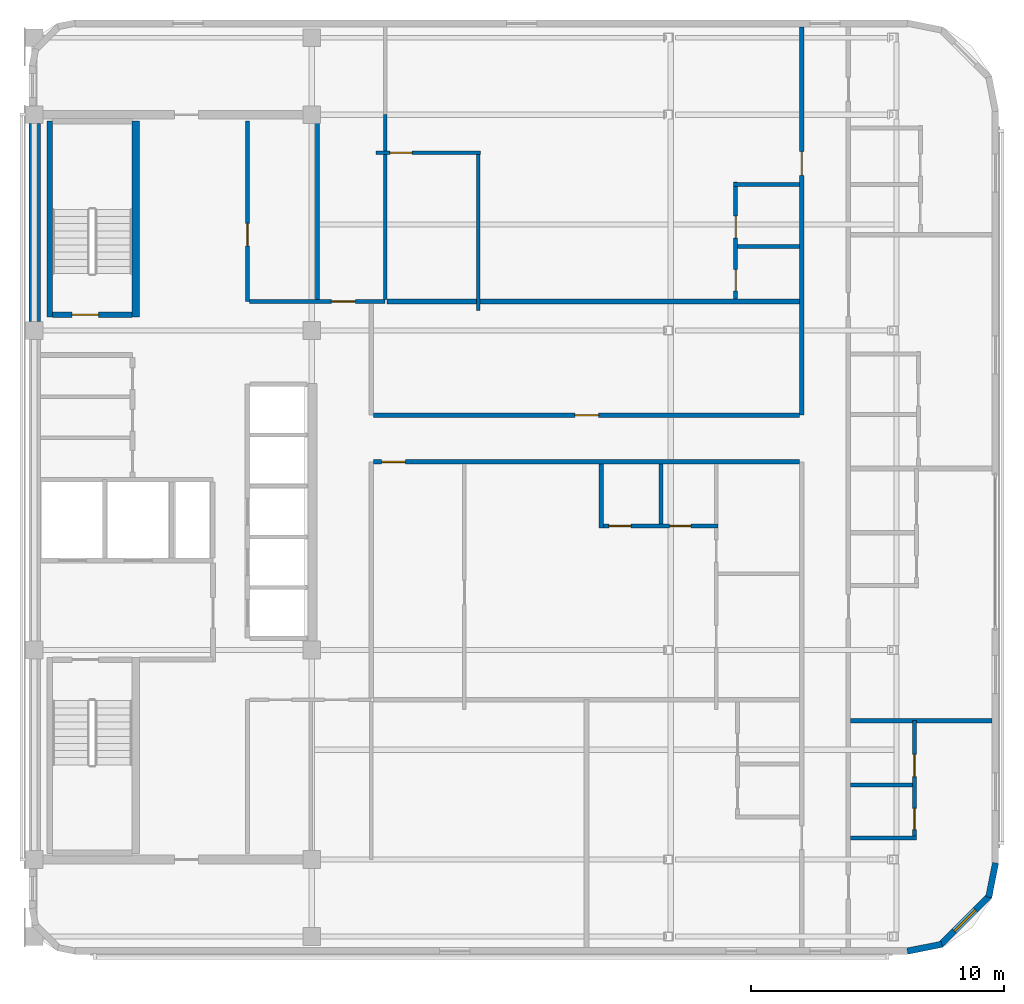
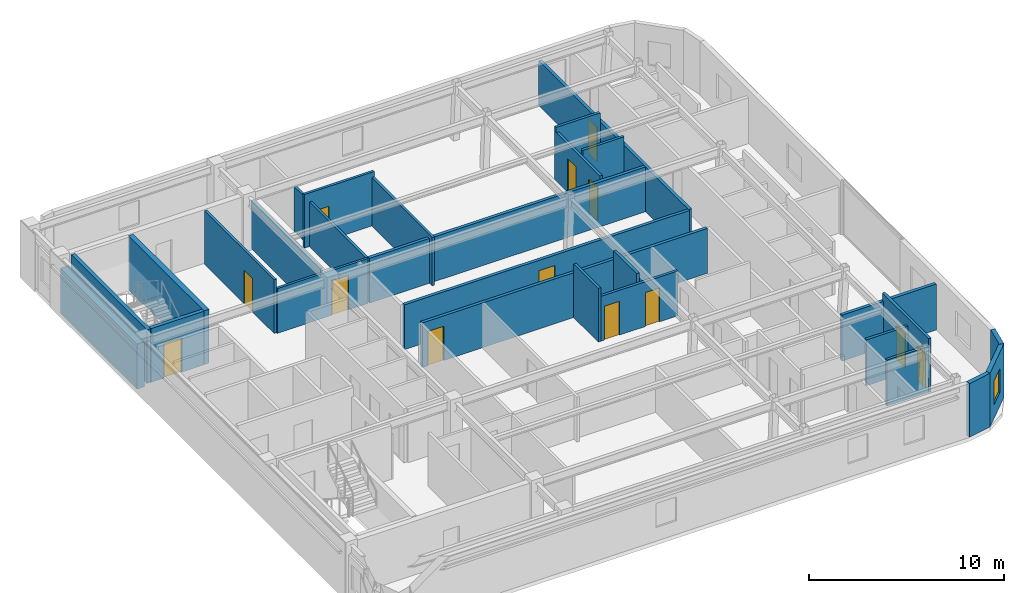
# One storey, part 5 of 10: 27 walls, 13 doors, 1 window, 14 openings.
"""IFC4 building model written with IfcOpenShell, lengths in metres."""

import ifcopenshell
import ifcopenshell.guid

model = None  # the IFC model being written
_history = None  # IfcOwnerHistory: only IFC2X3 demands one
_inside = {}  # id of a spatial element -> (the spatial element, [elements in it])
_under = {}  # id of a project, library or spatial element -> (it, [spatial elements below it])
_declared = {}  # id of a project -> (the project, [libraries it declares])
_typed = {}  # id of a type object -> (the type object, [elements of that type])
_made_of = {}  # id of a material, layer set ... -> (it, [elements and type objects made of it])


def new_model(schema):
    """Start an empty IFC model of exactly this schema.

    Asked for "IFC4X3", IfcOpenShell would pick the latest addendum, in which some entities
    have other attributes; the version numbers below select the first issue.
    IFC2X3 requires an IfcOwnerHistory on every rooted entity: one is made here for all.
    """
    global model, _history
    if schema == "IFC4X3":
        model = ifcopenshell.file(schema_version=(4, 3, 0, 0))
    else:
        model = ifcopenshell.file(schema=schema)
    _inside.clear()
    _under.clear()
    _declared.clear()
    _typed.clear()
    _made_of.clear()
    _history = None
    if model.schema == "IFC2X3":
        org = make("IfcOrganization", Name="unknown")
        user = make(
            "IfcPersonAndOrganization",
            ThePerson=make("IfcPerson", FamilyName="unknown"),
            TheOrganization=org,
        )
        app = make(
            "IfcApplication",
            ApplicationDeveloper=org,
            Version="unknown",
            ApplicationFullName="unknown",
            ApplicationIdentifier="unknown",
        )
        _history = make(
            "IfcOwnerHistory",
            OwningUser=user,
            OwningApplication=app,
            ChangeAction="ADDED",
            CreationDate=0,
        )
    return model


def make(cls, **values):
    """One entity of the class cls with the attributes given. An attribute that is None is left unset."""
    return model.create_entity(
        cls, **{name: value for name, value in values.items() if value is not None}
    )


def rooted(cls, **values):
    """An entity with a GlobalId (a new one), such as an element, a storey or a relation."""
    return make(cls, GlobalId=ifcopenshell.guid.new(), OwnerHistory=_history, **values)


def si_unit(unit_type, name, prefix=None):
    """IfcSIUnit, for example si_unit("LENGTHUNIT", "METRE", prefix="MILLI")."""
    return make("IfcSIUnit", UnitType=unit_type, Prefix=prefix, Name=name)


def assignment(units):
    """IfcUnitAssignment: the units of a project."""
    return None if units is None else make("IfcUnitAssignment", Units=units)


def point(xyz):
    """IfcCartesianPoint."""
    return None if xyz is None else make("IfcCartesianPoint", Coordinates=xyz)


def direction(xyz):
    """IfcDirection."""
    return None if xyz is None else make("IfcDirection", DirectionRatios=xyz)


def frame(location, z_axis=None, x_axis=None):
    """IfcAxis2Placement3D, a coordinate frame: its origin and axes. An axis left out is left unset."""
    return make(
        "IfcAxis2Placement3D",
        Location=point(location),
        Axis=direction(z_axis),
        RefDirection=direction(x_axis),
    )


def frame_2d(location, x_axis=None):
    """IfcAxis2Placement2D, a coordinate frame in the plane: its origin and x axis."""
    return make(
        "IfcAxis2Placement2D", Location=point(location), RefDirection=direction(x_axis)
    )


def origin():
    """The frame at (0, 0, 0) with its axes left unset."""
    return frame((0.0, 0.0, 0.0))


def place(relative_to, where):
    """IfcLocalPlacement: puts the frame where relative to a parent placement (None: the world)."""
    return make(
        "IfcLocalPlacement", PlacementRelTo=relative_to, RelativePlacement=where
    )


def context(
    kind, dimensions, precision=None, world=None, true_north=None, identifier=None
):
    """IfcGeometricRepresentationContext, for example the 3D "Model" context."""
    return make(
        "IfcGeometricRepresentationContext",
        ContextIdentifier=identifier,
        ContextType=kind,
        CoordinateSpaceDimension=dimensions,
        Precision=precision,
        WorldCoordinateSystem=world,
        TrueNorth=true_north,
    )


def subcontext(parent, identifier, kind, view, scale=None):
    """IfcGeometricRepresentationSubContext, for example "Body" below "Model"."""
    return make(
        "IfcGeometricRepresentationSubContext",
        ContextIdentifier=identifier,
        ContextType=kind,
        ParentContext=parent,
        TargetScale=scale,
        TargetView=view,
    )


def project(units=None, contexts=None):
    """IfcProject with its units and contexts."""
    return rooted(
        "IfcProject",
        Name="project",
        RepresentationContexts=contexts,
        UnitsInContext=assignment(units),
    )


def spatial(cls, under=None, at=None, **own):
    """A site, building, storey or space (cls), placed at a placement, below another one or the project."""
    s = rooted(cls, ObjectPlacement=at, **own)
    if under is not None:
        _under.setdefault(under.id(), (under, []))[1].append(s)
    return s


def profile(cls, at=None, kind="AREA", **sizes):
    """A parametric profile (cls). Its sizes go by their IFC names, for example OverallWidth=200.0."""
    return make(cls, ProfileType=kind, Position=at, **sizes)


def rectangle(**sizes):
    """IfcRectangleProfileDef."""
    return profile("IfcRectangleProfileDef", **sizes)


def extrude(swept, where, along, depth):
    """IfcExtrudedAreaSolid: the profile swept, set in the frame where, extruded along a direction by depth."""
    return make(
        "IfcExtrudedAreaSolid",
        SweptArea=swept,
        Position=where,
        ExtrudedDirection=direction(along),
        Depth=depth,
    )


def shape(context_of_items, identifier, shape_type, items):
    """IfcShapeRepresentation: the items that make up one representation, for example the "Body"."""
    return make(
        "IfcShapeRepresentation",
        ContextOfItems=context_of_items,
        RepresentationIdentifier=identifier,
        RepresentationType=shape_type,
        Items=items,
    )


def material(Name=None, Category=None):
    """IfcMaterial."""
    return make("IfcMaterial", Name=Name, Category=Category)


def layer(
    of_material, thickness, ventilated=None, Name=None, Category=None, Priority=None
):
    """IfcMaterialLayer: one layer of a wall or slab, of a material (None: an air gap)."""
    return make(
        "IfcMaterialLayer",
        Material=of_material,
        LayerThickness=thickness,
        IsVentilated=ventilated,
        Name=Name,
        Category=Category,
        Priority=Priority,
    )


def layer_set(layers, Name=None):
    """IfcMaterialLayerSet."""
    return make("IfcMaterialLayerSet", MaterialLayers=layers, LayerSetName=Name)


def made_of(thing, what):
    """Note that an element or type object is made of a material, layer set ...; save() writes the relation."""
    if what is not None:
        _made_of.setdefault(what.id(), (what, []))[1].append(thing)
    return thing


def type_object(cls, material=None, **own):
    """A type object (cls), such as IfcWallType, which elements share."""
    return made_of(rooted(cls, **own), material)


def element(
    cls,
    number,
    at=None,
    inside=None,
    cuts=None,
    type_object=None,
    material=None,
    context=None,
    identifier="Body",
    shape_type=None,
    held_by="IfcProductDefinitionShape",
    body=None,
    shapes=None,
    **own,
):
    """One element of the class cls, such as IfcWall. Its Tag is "e" and its number.

    at: its placement. inside: the storey or other place that contains it. cuts: it is an
    opening in that element (IfcRelVoidsElement). A single representation is given by context,
    identifier, shape_type and body (its items); several are given by shapes. held_by: the class
    of the entity that holds the representations. save() writes the other relations.
    """
    e = rooted(cls, Tag="e%d" % number, ObjectPlacement=at, **own)
    if body is not None:
        shapes = [shape(context, identifier, shape_type, body)]
    if shapes is not None:
        e.Representation = make(held_by, Representations=shapes)
    if inside is not None:
        _inside.setdefault(inside.id(), (inside, []))[1].append(e)
    if cuts is not None:
        rooted(
            "IfcRelVoidsElement", RelatingBuildingElement=cuts, RelatedOpeningElement=e
        )
    if type_object is not None:
        _typed.setdefault(type_object.id(), (type_object, []))[1].append(e)
    return made_of(e, material)


def fill(opening, filler):
    """IfcRelFillsElement: the door or window that sits in an opening."""
    return rooted(
        "IfcRelFillsElement",
        RelatingOpeningElement=opening,
        RelatedBuildingElement=filler,
    )


def aggregate(whole, parts):
    """IfcRelAggregates: a whole, such as a stair, and the parts it consists of."""
    return rooted("IfcRelAggregates", RelatingObject=whole, RelatedObjects=parts)


def save(model, path):
    """Write the relations noted so far, then the file.

    IfcRelAggregates (storeys below a building ...), IfcRelContainedInSpatialStructure (elements
    in a storey), IfcRelDefinesByType, IfcRelAssociatesMaterial and IfcRelDeclares: one each for
    every whole, place, type object, material and project.
    """
    for whole, parts in _under.values():
        aggregate(whole, parts)
    for where, things in _inside.values():
        rooted(
            "IfcRelContainedInSpatialStructure",
            RelatedElements=things,
            RelatingStructure=where,
        )
    for kind, things in _typed.values():
        rooted("IfcRelDefinesByType", RelatedObjects=things, RelatingType=kind)
    for what, things in _made_of.values():
        rooted("IfcRelAssociatesMaterial", RelatedObjects=things, RelatingMaterial=what)
    for by, libraries in _declared.values():
        rooted("IfcRelDeclares", RelatingContext=by, RelatedDefinitions=libraries)
    model.write(path)


model = new_model("IFC4")

# Units and contexts
model_context = context("Model", 3, precision=1e-05, world=origin(), true_north=direction((0.0, 1.0)))
body_context = subcontext(model_context, "Body", "Model", "MODEL_VIEW")
ifc_project = project(units=[si_unit("LENGTHUNIT", "METRE"), si_unit("AREAUNIT", "SQUARE_METRE"), si_unit("VOLUMEUNIT", "CUBIC_METRE"), si_unit("PLANEANGLEUNIT", "RADIAN"), si_unit("MASSUNIT", "GRAM", prefix="KILO")], contexts=[model_context])

# Site, building, storey
site_placement = place(None, origin())
site = spatial("IfcSite", under=ifc_project, at=site_placement, CompositionType="ELEMENT")
building_placement = place(site_placement, origin())
building = spatial("IfcBuilding", under=site, at=building_placement, Name="Ochreholt Gables", CompositionType="ELEMENT")
storey_placement = place(building_placement, frame((0.0, 0.0, 267.60009765625)))
storey = spatial("IfcBuildingStorey", under=building, at=storey_placement, Name="L70", CompositionType="ELEMENT", Elevation=267.60009765625)

# Walls
ifc_material_1 = material(Name="Concrete 50 MPa", Category="concrete")
ifc_layer_1 = layer(ifc_material_1, 0.449951171875, Name="Concrete 50 MPa")
ifc_layer_set_1 = layer_set([ifc_layer_1], Name="Concrete 50 MPa")
wall_type_1 = type_object("IfcWallType", Name="WALL-CSW-EXT", PredefinedType="SHEAR", material=ifc_layer_set_1)
wall_1_placement = place(storey_placement, frame((24.22509765625, 30.550048828125, 0.0), z_axis=(0.0, 0.0, 1.0), x_axis=(0.0, 1.0, 0.0)))
element("IfcWall", 1, at=wall_1_placement, inside=storey, type_object=wall_type_1, Name="L70 Core West Shear Wall WN", PredefinedType="SHEAR", context=body_context, shape_type="SweptSolid", body=[
    extrude(rectangle(XDim=7.849853515625, YDim=0.449951171875, at=frame_2d((3.9248046875, 0.0))), origin(), (0.0, 0.0, 1.0), 2.82080078125),
])
ifc_material_2 = material(Name="Precast concrete 40 MPa", Category="concrete")
ifc_layer_2 = layer(ifc_material_2, 0.25, Name="Precast concrete 40 MPa")
ifc_layer_set_2 = layer_set([ifc_layer_2], Name="Precast concrete 40 MPa")
wall_type_2 = type_object("IfcWallType", Name="WALL-EXT-CNR", PredefinedType="SOLIDWALL", material=ifc_layer_set_2)
wall_2_placement = place(storey_placement, frame((58.783447265625, 5.624267578125, 0.0), z_axis=(0.0, 0.0, 1.0), x_axis=(0.980809899341, 0.19496651342, 0.0)))
element("IfcWall", 2, at=wall_2_placement, inside=storey, type_object=wall_type_2, Name="L70 Rounded Corner Wall SE-1", PredefinedType="SOLIDWALL", context=body_context, shape_type="SweptSolid", body=[
    extrude(rectangle(XDim=1.388671875, YDim=0.25, at=frame_2d((0.6943359375, 0.0))), origin(), (0.0, 0.0, 1.0), 3.35986328125),
])

# Wall, opening, window
wall_3_placement = place(storey_placement, frame((60.094970703125, 5.867919921875, 0.0), z_axis=(0.0, 0.0, 1.0), x_axis=(0.707106781187, 0.707106781187, 0.0)))
wall_3 = element("IfcWall", 3, at=wall_3_placement, inside=storey, type_object=wall_type_2, Name="L70 Rounded Corner Wall SE-2", PredefinedType="SOLIDWALL", context=body_context, shape_type="SweptSolid", body=[
    extrude(rectangle(XDim=2.7392578125, YDim=0.25, at=frame_2d((1.36962890625, 0.0))), origin(), (0.0, 0.0, 1.0), 3.35986328125),
])
opening_1_placement = place(wall_3_placement, frame((0.769775390625, 0.0, 0.85009765625)))
opening_1 = element("IfcOpeningElement", 4, at=opening_1_placement, cuts=wall_3, Name="Opening WN-3", PredefinedType="OPENING", context=body_context, shape_type="SweptSolid", body=[
    extrude(rectangle(XDim=1.199951171875, YDim=1.5, at=frame_2d((0.60009765625, 0.75))), frame((0.0, 0.135009765625, 0.0), z_axis=(0.0, -1.0, 0.0), x_axis=(1.0, 0.0, 0.0)), (0.0, 0.0, 1.0), 0.27001953125),
])
ifc_material_3 = material(Name="Triple-Glazed Thermally Broken Aluminium Window", Category="aluminium")
window_type = type_object("IfcWindowType", Name="WIN-RES-1200", PartitioningType="SINGLE_PANEL", PredefinedType="WINDOW", material=ifc_material_3)
window_placement = place(opening_1_placement, origin())
window = element("IfcWindow", 5, at=window_placement, inside=storey, type_object=window_type, Name="L70 Corner Bedroom Window SE", OverallHeight=1.5, OverallWidth=1.199951171875, PartitioningType="SINGLE_PANEL", PredefinedType="WINDOW", context=body_context, shape_type="SweptSolid", body=[
    extrude(rectangle(XDim=1.199951171875, YDim=1.5, at=frame_2d((0.60009765625, 0.75))), frame((0.0, 0.030029296875, 0.0), z_axis=(0.0, -1.0, 0.0), x_axis=(1.0, 0.0, 0.0)), (0.0, 0.0, 1.0), 0.06005859375),
])
fill(opening_1, window)

# Wall
wall_4_placement = place(storey_placement, frame((62.0048828125, 7.75439453125, 0.0), z_axis=(0.0, 0.0, 1.0), x_axis=(0.195135625965, 0.9807762678, 0.0)))
element("IfcWall", 6, at=wall_4_placement, inside=storey, type_object=wall_type_2, Name="L70 Rounded Corner Wall SE-3", PredefinedType="SOLIDWALL", context=body_context, shape_type="SweptSolid", body=[
    extrude(rectangle(XDim=1.388671875, YDim=0.25, at=frame_2d((0.6943359375, 0.0))), origin(), (0.0, 0.0, 1.0), 3.35986328125),
])

# Wall, opening, door
ifc_material_4 = material(Name="Fire-Rated Gypsum Acoustic Partition", Category="gypsum")
ifc_layer_3 = layer(ifc_material_4, 0.179931640625, Name="Fire-Rated Gypsum Acoustic Partition")
ifc_layer_set_3 = layer_set([ifc_layer_3], Name="Fire-Rated Gypsum Acoustic Partition")
wall_type_3 = type_object("IfcWallType", Name="WALL-INT-CR180", PredefinedType="STANDARD", material=ifc_layer_set_3)
wall_5_placement = place(storey_placement, frame((54.60009765625, 26.85009765625, 0.0), z_axis=(0.0, 0.0, 1.0), x_axis=(0.0, 1.0, 0.0)))
wall_5 = element("IfcWall", 7, at=wall_5_placement, inside=storey, type_object=wall_type_3, Name="L70 Interior Wall WI-C3GW2-L70", PredefinedType="STANDARD", context=body_context, shape_type="SweptSolid", body=[
    extrude(rectangle(XDim=15.3798828125, YDim=0.179931640625, at=frame_2d((7.68994140625, 0.0))), origin(), (0.0, 0.0, 1.0), 2.802978515625),
])
opening_2_placement = place(wall_5_placement, frame((9.5, 0.0, 0.0)))
opening_2 = element("IfcOpeningElement", 8, at=opening_2_placement, cuts=wall_5, Name="Opening D-UN2", PredefinedType="OPENING", context=body_context, shape_type="SweptSolid", body=[
    extrude(rectangle(XDim=0.93994140625, YDim=2.14990234375, at=frame_2d((0.469970703125, 1.074951171875))), frame((0.0, 0.099853515625, 0.0), z_axis=(0.0, -1.0, 0.0), x_axis=(1.0, 0.0, 0.0)), (0.0, 0.0, 1.0), 0.199951171875),
])
ifc_material_5 = material(Name="Engineered Oak Timber", Category="wood")
door_type_1 = type_object("IfcDoorType", Name="DR-INT-UNT940", OperationType="NOTDEFINED", PredefinedType="DOOR", material=ifc_material_5)
door_1_placement = place(opening_2_placement, origin())
door_1 = element("IfcDoor", 9, at=door_1_placement, inside=storey, type_object=door_type_1, Name="L70 Door D-U-L70NM2-ENT", OperationType="SINGLE_SWING_LEFT", OverallHeight=2.14990234375, OverallWidth=0.93994140625, PredefinedType="DOOR", context=body_context, shape_type="SweptSolid", body=[
    extrude(rectangle(XDim=0.93994140625, YDim=2.14990234375, at=frame_2d((0.469970703125, 1.074951171875))), frame((0.0, 0.02490234375, 0.0), z_axis=(0.0, -1.0, 0.0), x_axis=(1.0, 0.0, 0.0)), (0.0, 0.0, 1.0), 0.050048828125),
])
fill(opening_2, door_1)

wall_6_placement = place(storey_placement, frame((37.639892578125, 25.0, 0.0), z_axis=(0.0, 0.0, 1.0), x_axis=(1.0, 0.0, 0.0)))
wall_6 = element("IfcWall", 10, at=wall_6_placement, inside=storey, type_object=wall_type_3, Name="L70 Interior Wall WI-C3BRS1-L70", PredefinedType="STANDARD", context=body_context, shape_type="SweptSolid", body=[
    extrude(rectangle(XDim=16.8701171875, YDim=0.179931640625, at=frame_2d((8.43505859375, 0.0))), origin(), (0.0, 0.0, 1.0), 2.802978515625),
])
opening_3_placement = place(wall_6_placement, frame((0.320068359375, 0.0, 0.0)))
opening_3 = element("IfcOpeningElement", 11, at=opening_3_placement, cuts=wall_6, Name="Opening D-UN2", PredefinedType="OPENING", context=body_context, shape_type="SweptSolid", body=[
    extrude(rectangle(XDim=0.93994140625, YDim=2.14990234375, at=frame_2d((0.469970703125, 1.074951171875))), frame((0.0, 0.099853515625, 0.0), z_axis=(0.0, -1.0, 0.0), x_axis=(1.0, 0.0, 0.0)), (0.0, 0.0, 1.0), 0.199951171875),
])
door_2_placement = place(opening_3_placement, origin())
door_2 = element("IfcDoor", 12, at=door_2_placement, inside=storey, type_object=door_type_1, Name="L70 Door D-U-L70SM2-ENT", OperationType="SINGLE_SWING_RIGHT", OverallHeight=2.14990234375, OverallWidth=0.93994140625, PredefinedType="DOOR", context=body_context, shape_type="SweptSolid", body=[
    extrude(rectangle(XDim=0.93994140625, YDim=2.14990234375, at=frame_2d((0.469970703125, 1.074951171875))), frame((0.0, 0.02490234375, 0.0), z_axis=(0.0, -1.0, 0.0), x_axis=(1.0, 0.0, 0.0)), (0.0, 0.0, 1.0), 0.050048828125),
])
fill(opening_3, door_2)

wall_7_placement = place(storey_placement, frame((37.639892578125, 26.85009765625, 0.0), z_axis=(0.0, 0.0, 1.0), x_axis=(1.0, 0.0, 0.0)))
wall_7 = element("IfcWall", 13, at=wall_7_placement, inside=storey, type_object=wall_type_3, Name="L70 Interior Wall WI-C3BRN1-L70", PredefinedType="STANDARD", context=body_context, shape_type="SweptSolid", body=[
    extrude(rectangle(XDim=16.8701171875, YDim=0.179931640625, at=frame_2d((8.43505859375, 0.0))), origin(), (0.0, 0.0, 1.0), 2.802978515625),
])
opening_4_placement = place(wall_7_placement, frame((7.97509765625, 0.0, 0.0)))
opening_4 = element("IfcOpeningElement", 14, at=opening_4_placement, cuts=wall_7, Name="Opening D-UN2", PredefinedType="OPENING", context=body_context, shape_type="SweptSolid", body=[
    extrude(rectangle(XDim=0.93994140625, YDim=2.14990234375, at=frame_2d((0.469970703125, 1.074951171875))), frame((0.0, 0.099853515625, 0.0), z_axis=(0.0, -1.0, 0.0), x_axis=(1.0, 0.0, 0.0)), (0.0, 0.0, 1.0), 0.199951171875),
])
door_3_placement = place(opening_4_placement, origin())
door_3 = element("IfcDoor", 15, at=door_3_placement, inside=storey, type_object=door_type_1, Name="L70 Door D-U-L70NM1-ENT", OperationType="SINGLE_SWING_RIGHT", OverallHeight=2.14990234375, OverallWidth=0.93994140625, PredefinedType="DOOR", context=body_context, shape_type="SweptSolid", body=[
    extrude(rectangle(XDim=0.93994140625, YDim=2.14990234375, at=frame_2d((0.469970703125, 1.074951171875))), frame((0.0, 0.02490234375, 0.0), z_axis=(0.0, -1.0, 0.0), x_axis=(1.0, 0.0, 0.0)), (0.0, 0.0, 1.0), 0.050048828125),
])
fill(opening_4, door_3)

# Walls
ifc_material_6 = material(Name="Double-Stud Acoustic Demising Wall", Category="gypsum")
ifc_layer_4 = layer(ifc_material_6, 0.18505859375, Name="Double-Stud Acoustic Demising Wall")
ifc_layer_set_4 = layer_set([ifc_layer_4], Name="Double-Stud Acoustic Demising Wall")
wall_type_4 = type_object("IfcWallType", Name="WALL-INT-DM185", PredefinedType="PARTITIONING", material=ifc_layer_set_4)
wall_8_placement = place(storey_placement, frame((56.5400390625, 14.75, 0.0), z_axis=(0.0, 0.0, 1.0), x_axis=(1.0, 0.0, 0.0)))
element("IfcWall", 16, at=wall_8_placement, inside=storey, type_object=wall_type_4, Name="L70 Interior Wall WI-C3UDE2-L70", PredefinedType="PARTITIONING", context=body_context, shape_type="SweptSolid", body=[
    extrude(rectangle(XDim=5.58984375, YDim=0.18505859375, at=frame_2d((2.794921875, 0.0))), origin(), (0.0, 0.0, 1.0), 2.87890625),
])
wall_9_placement = place(storey_placement, frame((38.172607421875, 31.35009765625, 0.0), z_axis=(0.0, 0.0, 1.0), x_axis=(1.0, 0.0, 0.0)))
element("IfcWall", 17, at=wall_9_placement, inside=storey, type_object=wall_type_4, Name="L70 Interior Wall WI-C3NMY-L70", PredefinedType="PARTITIONING", context=body_context, shape_type="SweptSolid", body=[
    extrude(rectangle(XDim=16.33740234375, YDim=0.18505859375, at=frame_2d((8.168701171875, 0.0))), origin(), (0.0, 0.0, 1.0), 2.802978515625),
])
ifc_material_7 = material(Name="Moisture-Resistant Plumbing Chase Wall", Category="gypsum")
ifc_layer_5 = layer(ifc_material_7, 0.159912109375, Name="Moisture-Resistant Plumbing Chase Wall")
ifc_layer_set_5 = layer_set([ifc_layer_5], Name="Moisture-Resistant Plumbing Chase Wall")
wall_type_5 = type_object("IfcWallType", Name="WALL-INT-PL160", PredefinedType="PLUMBINGWALL", material=ifc_layer_set_5)
wall_10_placement = place(storey_placement, frame((56.5400390625, 10.110107421875, 0.0), z_axis=(0.0, 0.0, 1.0), x_axis=(1.0, 0.0, 0.0)))
element("IfcWall", 18, at=wall_10_placement, inside=storey, type_object=wall_type_5, Name="L70 Interior Wall WU-L70E1-WYS", PredefinedType="PLUMBINGWALL", context=body_context, shape_type="SweptSolid", body=[
    extrude(rectangle(XDim=2.60595703125, YDim=0.159912109375, at=frame_2d((1.302978515625, 0.0))), origin(), (0.0, 0.0, 1.0), 2.87890625),
])

# Wall, openings, doors
wall_11_placement = place(storey_placement, frame((59.06591796875, 10.02001953125, 0.0), z_axis=(0.0, 0.0, 1.0), x_axis=(0.0, 1.0, 0.0)))
wall_11 = element("IfcWall", 19, at=wall_11_placement, inside=storey, type_object=wall_type_5, Name="L70 Interior Wall WU-L70E1-WX", PredefinedType="PLUMBINGWALL", context=body_context, shape_type="SweptSolid", body=[
    extrude(rectangle(XDim=4.72998046875, YDim=0.159912109375, at=frame_2d((2.364990234375, 0.0))), origin(), (0.0, 0.0, 1.0), 3.35986328125),
])
opening_5_placement = place(wall_11_placement, frame((0.419921875, 0.0, 0.0)))
opening_5 = element("IfcOpeningElement", 20, at=opening_5_placement, cuts=wall_11, Name="Opening D-BT2", PredefinedType="OPENING", context=body_context, shape_type="SweptSolid", body=[
    extrude(rectangle(XDim=0.840087890625, YDim=2.1201171875, at=frame_2d((0.419921875, 1.06005859375))), frame((0.0, 0.08984375, 0.0), z_axis=(0.0, -1.0, 0.0), x_axis=(1.0, 0.0, 0.0)), (0.0, 0.0, 1.0), 0.179931640625),
])
opening_6_placement = place(wall_11_placement, frame((2.512939453125, 0.0, 0.0)))
opening_6 = element("IfcOpeningElement", 21, at=opening_6_placement, cuts=wall_11, Name="Opening D-GN2", PredefinedType="OPENING", context=body_context, shape_type="SweptSolid", body=[
    extrude(rectangle(XDim=0.8798828125, YDim=2.1201171875, at=frame_2d((0.43994140625, 1.06005859375))), frame((0.0, 0.08984375, 0.0), z_axis=(0.0, -1.0, 0.0), x_axis=(1.0, 0.0, 0.0)), (0.0, 0.0, 1.0), 0.179931640625),
])
door_type_2 = type_object("IfcDoorType", Name="DR-INT-BTH840", OperationType="NOTDEFINED", PredefinedType="DOOR", material=ifc_material_5)
door_4_placement = place(opening_5_placement, origin())
door_4 = element("IfcDoor", 22, at=door_4_placement, inside=storey, type_object=door_type_2, Name="L70 Door D-U-L70E1-BTH", OperationType="SINGLE_SWING_LEFT", OverallHeight=2.1201171875, OverallWidth=0.840087890625, PredefinedType="DOOR", context=body_context, shape_type="SweptSolid", body=[
    extrude(rectangle(XDim=0.840087890625, YDim=2.1201171875, at=frame_2d((0.419921875, 1.06005859375))), frame((0.0, 0.02490234375, 0.0), z_axis=(0.0, -1.0, 0.0), x_axis=(1.0, 0.0, 0.0)), (0.0, 0.0, 1.0), 0.050048828125),
])
fill(opening_5, door_4)
door_type_3 = type_object("IfcDoorType", Name="DR-INT-GEN880", OperationType="NOTDEFINED", PredefinedType="DOOR", material=ifc_material_5)
door_5_placement = place(opening_6_placement, origin())
door_5 = element("IfcDoor", 23, at=door_5_placement, inside=storey, type_object=door_type_3, Name="L70 Door D-U-L70E1-KIT", OperationType="SINGLE_SWING_RIGHT", OverallHeight=2.1201171875, OverallWidth=0.8798828125, PredefinedType="DOOR", context=body_context, shape_type="SweptSolid", body=[
    extrude(rectangle(XDim=0.8798828125, YDim=2.1201171875, at=frame_2d((0.43994140625, 1.06005859375))), frame((0.0, 0.02490234375, 0.0), z_axis=(0.0, -1.0, 0.0), x_axis=(1.0, 0.0, 0.0)), (0.0, 0.0, 1.0), 0.050048828125),
])
fill(opening_6, door_5)

# Wall
wall_12_placement = place(storey_placement, frame((56.5400390625, 12.202880859375, 0.0), z_axis=(0.0, 0.0, 1.0), x_axis=(1.0, 0.0, 0.0)))
element("IfcWall", 24, at=wall_12_placement, inside=storey, type_object=wall_type_5, Name="L70 Interior Wall WU-L70E1-WM", PredefinedType="PLUMBINGWALL", context=body_context, shape_type="SweptSolid", body=[
    extrude(rectangle(XDim=2.446044921875, YDim=0.159912109375, at=frame_2d((1.22314453125, 0.0))), origin(), (0.0, 0.0, 1.0), 2.87890625),
])

# Wall, openings, doors
wall_13_placement = place(storey_placement, frame((46.580078125, 22.4599609375, 0.0), z_axis=(0.0, 0.0, 1.0), x_axis=(1.0, 0.0, 0.0)))
wall_13 = element("IfcWall", 25, at=wall_13_placement, inside=storey, type_object=wall_type_5, Name="L70 Interior Wall WU-L70SM2-WY", PredefinedType="PLUMBINGWALL", context=body_context, shape_type="SweptSolid", body=[
    extrude(rectangle(XDim=4.7099609375, YDim=0.159912109375, at=frame_2d((2.35498046875, 0.0))), origin(), (0.0, 0.0, 1.0), 2.802978515625),
])
opening_7_placement = place(wall_13_placement, frame((0.3798828125, 0.0, 0.0)))
opening_7 = element("IfcOpeningElement", 26, at=opening_7_placement, cuts=wall_13, Name="Opening D-GN2", PredefinedType="OPENING", context=body_context, shape_type="SweptSolid", body=[
    extrude(rectangle(XDim=0.8798828125, YDim=2.1201171875, at=frame_2d((0.43994140625, 1.06005859375))), frame((0.0, 0.08984375, 0.0), z_axis=(0.0, -1.0, 0.0), x_axis=(1.0, 0.0, 0.0)), (0.0, 0.0, 1.0), 0.179931640625),
])
opening_8_placement = place(wall_13_placement, frame((2.785888671875, 0.0, 0.0)))
opening_8 = element("IfcOpeningElement", 27, at=opening_8_placement, cuts=wall_13, Name="Opening D-BT2", PredefinedType="OPENING", context=body_context, shape_type="SweptSolid", body=[
    extrude(rectangle(XDim=0.840087890625, YDim=2.1201171875, at=frame_2d((0.419921875, 1.06005859375))), frame((0.0, 0.08984375, 0.0), z_axis=(0.0, -1.0, 0.0), x_axis=(1.0, 0.0, 0.0)), (0.0, 0.0, 1.0), 0.179931640625),
])
door_6_placement = place(opening_8_placement, origin())
door_6 = element("IfcDoor", 28, at=door_6_placement, inside=storey, type_object=door_type_2, Name="L70 Door D-U-L70SM2-BTH", OperationType="SINGLE_SWING_RIGHT", OverallHeight=2.1201171875, OverallWidth=0.840087890625, PredefinedType="DOOR", context=body_context, shape_type="SweptSolid", body=[
    extrude(rectangle(XDim=0.840087890625, YDim=2.1201171875, at=frame_2d((0.419921875, 1.06005859375))), frame((0.0, 0.02490234375, 0.0), z_axis=(0.0, -1.0, 0.0), x_axis=(1.0, 0.0, 0.0)), (0.0, 0.0, 1.0), 0.050048828125),
])
fill(opening_8, door_6)
door_7_placement = place(opening_7_placement, origin())
door_7 = element("IfcDoor", 29, at=door_7_placement, inside=storey, type_object=door_type_3, Name="L70 Door D-U-L70SM2-KIT", OperationType="SINGLE_SWING_LEFT", OverallHeight=2.1201171875, OverallWidth=0.8798828125, PredefinedType="DOOR", context=body_context, shape_type="SweptSolid", body=[
    extrude(rectangle(XDim=0.8798828125, YDim=2.1201171875, at=frame_2d((0.43994140625, 1.06005859375))), frame((0.0, 0.02490234375, 0.0), z_axis=(0.0, -1.0, 0.0), x_axis=(1.0, 0.0, 0.0)), (0.0, 0.0, 1.0), 0.050048828125),
])
fill(opening_7, door_7)

# Walls
wall_14_placement = place(storey_placement, frame((46.659912109375, 22.3798828125, 0.0), z_axis=(0.0, 0.0, 1.0), x_axis=(0.0, 1.0, 0.0)))
element("IfcWall", 30, at=wall_14_placement, inside=storey, type_object=wall_type_5, Name="L70 Interior Wall WU-L70SM2-FY", PredefinedType="PLUMBINGWALL", context=body_context, shape_type="SweptSolid", body=[
    extrude(rectangle(XDim=2.530029296875, YDim=0.159912109375, at=frame_2d((1.26513671875, 0.0))), origin(), (0.0, 0.0, 1.0), 3.35986328125),
])
wall_15_placement = place(storey_placement, frame((49.02587890625, 22.5400390625, 0.0), z_axis=(0.0, 0.0, 1.0), x_axis=(0.0, 1.0, 0.0)))
element("IfcWall", 31, at=wall_15_placement, inside=storey, type_object=wall_type_5, Name="L70 Interior Wall WU-L70SM2-WK", PredefinedType="PLUMBINGWALL", context=body_context, shape_type="SweptSolid", body=[
    extrude(rectangle(XDim=2.369873046875, YDim=0.159912109375, at=frame_2d((1.18505859375, 0.0))), origin(), (0.0, 0.0, 1.0), 3.35986328125),
])
wall_16_placement = place(storey_placement, frame((51.904052734375, 35.989990234375, 0.0), z_axis=(0.0, 0.0, 1.0), x_axis=(1.0, 0.0, 0.0)))
element("IfcWall", 32, at=wall_16_placement, inside=storey, type_object=wall_type_5, Name="L70 Interior Wall WU-L70NM2-WYN", PredefinedType="PLUMBINGWALL", context=body_context, shape_type="SweptSolid", body=[
    extrude(rectangle(XDim=2.60595703125, YDim=0.159912109375, at=frame_2d((1.302978515625, 0.0))), origin(), (0.0, 0.0, 1.0), 3.35986328125),
])

# Wall, openings, doors
wall_17_placement = place(storey_placement, frame((51.98388671875, 31.4423828125, 0.0), z_axis=(0.0, 0.0, 1.0), x_axis=(0.0, 1.0, 0.0)))
wall_17 = element("IfcWall", 33, at=wall_17_placement, inside=storey, type_object=wall_type_5, Name="L70 Interior Wall WU-L70NM2-WX", PredefinedType="PLUMBINGWALL", context=body_context, shape_type="SweptSolid", body=[
    extrude(rectangle(XDim=4.6376953125, YDim=0.159912109375, at=frame_2d((2.31884765625, 0.0))), origin(), (0.0, 0.0, 1.0), 3.038818359375),
])
opening_9_placement = place(wall_17_placement, frame((0.327392578125, 0.0, 0.0)))
opening_9 = element("IfcOpeningElement", 34, at=opening_9_placement, cuts=wall_17, Name="Opening D-BT2", PredefinedType="OPENING", context=body_context, shape_type="SweptSolid", body=[
    extrude(rectangle(XDim=0.840087890625, YDim=2.1201171875, at=frame_2d((0.419921875, 1.06005859375))), frame((0.0, 0.08984375, 0.0), z_axis=(0.0, -1.0, 0.0), x_axis=(1.0, 0.0, 0.0)), (0.0, 0.0, 1.0), 0.179931640625),
])
opening_10_placement = place(wall_17_placement, frame((2.42041015625, 0.0, 0.0)))
opening_10 = element("IfcOpeningElement", 35, at=opening_10_placement, cuts=wall_17, Name="Opening D-GN2", PredefinedType="OPENING", context=body_context, shape_type="SweptSolid", body=[
    extrude(rectangle(XDim=0.8798828125, YDim=2.1201171875, at=frame_2d((0.43994140625, 1.06005859375))), frame((0.0, 0.08984375, 0.0), z_axis=(0.0, -1.0, 0.0), x_axis=(1.0, 0.0, 0.0)), (0.0, 0.0, 1.0), 0.179931640625),
])
door_8_placement = place(opening_9_placement, origin())
door_8 = element("IfcDoor", 36, at=door_8_placement, inside=storey, type_object=door_type_2, Name="L70 Door D-U-L70NM2-BTH", OperationType="SINGLE_SWING_RIGHT", OverallHeight=2.1201171875, OverallWidth=0.840087890625, PredefinedType="DOOR", context=body_context, shape_type="SweptSolid", body=[
    extrude(rectangle(XDim=0.840087890625, YDim=2.1201171875, at=frame_2d((0.419921875, 1.06005859375))), frame((0.0, 0.02490234375, 0.0), z_axis=(0.0, -1.0, 0.0), x_axis=(1.0, 0.0, 0.0)), (0.0, 0.0, 1.0), 0.050048828125),
])
fill(opening_9, door_8)
door_9_placement = place(opening_10_placement, origin())
door_9 = element("IfcDoor", 37, at=door_9_placement, inside=storey, type_object=door_type_3, Name="L70 Door D-U-L70NM2-KIT", OperationType="SINGLE_SWING_LEFT", OverallHeight=2.1201171875, OverallWidth=0.8798828125, PredefinedType="DOOR", context=body_context, shape_type="SweptSolid", body=[
    extrude(rectangle(XDim=0.8798828125, YDim=2.1201171875, at=frame_2d((0.43994140625, 1.06005859375))), frame((0.0, 0.02490234375, 0.0), z_axis=(0.0, -1.0, 0.0), x_axis=(1.0, 0.0, 0.0)), (0.0, 0.0, 1.0), 0.050048828125),
])
fill(opening_10, door_9)

# Wall
wall_18_placement = place(storey_placement, frame((52.06396484375, 33.532958984375, 0.0), z_axis=(0.0, 0.0, 1.0), x_axis=(1.0, 0.0, 0.0)))
element("IfcWall", 38, at=wall_18_placement, inside=storey, type_object=wall_type_5, Name="L70 Interior Wall WU-L70NM2-WM", PredefinedType="PLUMBINGWALL", context=body_context, shape_type="SweptSolid", body=[
    extrude(rectangle(XDim=2.446044921875, YDim=0.159912109375, at=frame_2d((1.22314453125, 0.0))), origin(), (0.0, 0.0, 1.0), 3.35986328125),
])

# Wall, opening, door
ifc_material_8 = material(Name="Lightweight Stud Partition", Category="gypsum")
ifc_layer_6 = layer(ifc_material_8, 0.14501953125, Name="Lightweight Stud Partition")
ifc_layer_set_6 = layer_set([ifc_layer_6], Name="Lightweight Stud Partition")
wall_type_6 = type_object("IfcWallType", Name="WALL-INT-PT145", PredefinedType="PARTITIONING", material=ifc_layer_set_6)
wall_19_placement = place(storey_placement, frame((32.64990234375, 31.35009765625, 0.0), z_axis=(0.0, 0.0, 1.0), x_axis=(0.0, 1.0, 0.0)))
wall_19 = element("IfcWall", 39, at=wall_19_placement, inside=storey, type_object=wall_type_6, Name="L70 Interior Wall WI-RCM-W-L70", PredefinedType="PARTITIONING", context=body_context, shape_type="SweptSolid", body=[
    extrude(rectangle(XDim=7.14990234375, YDim=0.14501953125, at=frame_2d((3.574951171875, 0.0))), origin(), (0.0, 0.0, 1.0), 3.35986328125),
])
opening_11_placement = place(wall_19_placement, frame((2.199951171875, 0.0, 0.0)))
opening_11 = element("IfcOpeningElement", 40, at=opening_11_placement, cuts=wall_19, Name="Opening D-SV1", PredefinedType="OPENING", context=body_context, shape_type="SweptSolid", body=[
    extrude(rectangle(XDim=0.89990234375, YDim=2.10009765625, at=frame_2d((0.449951171875, 1.050048828125))), frame((0.0, 0.08251953125, 0.0), z_axis=(0.0, -1.0, 0.0), x_axis=(1.0, 0.0, 0.0)), (0.0, 0.0, 1.0), 0.1650390625),
])
ifc_material_9 = material(Name="Hollow Metal Steel", Category="steel")
door_type_4 = type_object("IfcDoorType", Name="DR-INT-SRV900", OperationType="NOTDEFINED", PredefinedType="DOOR", material=ifc_material_9)
door_10_placement = place(opening_11_placement, origin())
door_10 = element("IfcDoor", 41, at=door_10_placement, inside=storey, type_object=door_type_4, Name="L70 Door D-RCM1-L70", OperationType="SINGLE_SWING_LEFT", OverallHeight=2.10009765625, OverallWidth=0.89990234375, PredefinedType="DOOR", context=body_context, shape_type="SweptSolid", body=[
    extrude(rectangle(XDim=0.89990234375, YDim=2.10009765625, at=frame_2d((0.449951171875, 1.050048828125))), frame((0.0, 0.02490234375, 0.0), z_axis=(0.0, -1.0, 0.0), x_axis=(1.0, 0.0, 0.0)), (0.0, 0.0, 1.0), 0.050048828125),
])
fill(opening_11, door_10)

wall_20_placement = place(storey_placement, frame((32.722412109375, 31.35009765625, 0.0), z_axis=(0.0, 0.0, 1.0), x_axis=(1.0, 0.0, 0.0)))
wall_20 = element("IfcWall", 42, at=wall_20_placement, inside=storey, type_object=wall_type_6, Name="L70 Interior Wall WI-RCM-S-L70", PredefinedType="PARTITIONING", context=body_context, shape_type="SweptSolid", body=[
    extrude(rectangle(XDim=5.377685546875, YDim=0.14501953125, at=frame_2d((2.68896484375, 0.0))), origin(), (0.0, 0.0, 1.0), 2.802978515625),
])
opening_12_placement = place(wall_20_placement, frame((3.25244140625, 0.0, 0.0)))
opening_12 = element("IfcOpeningElement", 43, at=opening_12_placement, cuts=wall_20, Name="Opening D-GN1", PredefinedType="OPENING", context=body_context, shape_type="SweptSolid", body=[
    extrude(rectangle(XDim=0.949951171875, YDim=2.14990234375, at=frame_2d((0.47509765625, 1.074951171875))), frame((0.0, 0.08251953125, 0.0), z_axis=(0.0, -1.0, 0.0), x_axis=(1.0, 0.0, 0.0)), (0.0, 0.0, 1.0), 0.1650390625),
])
door_type_5 = type_object("IfcDoorType", Name="DR-INT-GEN950", OperationType="NOTDEFINED", PredefinedType="DOOR", material=ifc_material_5)
door_11_placement = place(opening_12_placement, origin())
door_11 = element("IfcDoor", 44, at=door_11_placement, inside=storey, type_object=door_type_5, Name="L70 Door D-RCM2-L70", OperationType="SINGLE_SWING_RIGHT", OverallHeight=2.14990234375, OverallWidth=0.949951171875, PredefinedType="DOOR", context=body_context, shape_type="SweptSolid", body=[
    extrude(rectangle(XDim=0.949951171875, YDim=2.14990234375, at=frame_2d((0.47509765625, 1.074951171875))), frame((0.0, 0.02490234375, 0.0), z_axis=(0.0, -1.0, 0.0), x_axis=(1.0, 0.0, 0.0)), (0.0, 0.0, 1.0), 0.050048828125),
])
fill(opening_12, door_11)

# Walls
wall_21_placement = place(storey_placement, frame((38.10009765625, 31.422607421875, 0.0), z_axis=(0.0, 0.0, 1.0), x_axis=(0.0, 1.0, 0.0)))
element("IfcWall", 45, at=wall_21_placement, inside=storey, type_object=wall_type_6, Name="L70 Interior Wall WI-RCM-E-L70", PredefinedType="PARTITIONING", context=body_context, shape_type="SweptSolid", body=[
    extrude(rectangle(XDim=7.327392578125, YDim=0.14501953125, at=frame_2d((3.66357421875, 0.0))), origin(), (0.0, 0.0, 1.0), 2.802978515625),
])
wall_22_placement = place(storey_placement, frame((35.425048828125, 31.422607421875, 0.0), z_axis=(0.0, 0.0, 1.0), x_axis=(0.0, 1.0, 0.0)))
element("IfcWall", 46, at=wall_22_placement, inside=storey, type_object=wall_type_6, Name="L70 Interior Wall WI-RCM-DV-L70", PredefinedType="PARTITIONING", context=body_context, shape_type="SweptSolid", body=[
    extrude(rectangle(XDim=7.077392578125, YDim=0.14501953125, at=frame_2d((3.53857421875, 0.0))), origin(), (0.0, 0.0, 1.0), 3.038818359375),
])
wall_23_placement = place(storey_placement, frame((41.7900390625, 30.989990234375, 0.0), z_axis=(0.0, 0.0, 1.0), x_axis=(0.0, 1.0, 0.0)))
element("IfcWall", 47, at=wall_23_placement, inside=storey, type_object=wall_type_6, Name="L70 Interior Wall WU-L70NM2-STW", PredefinedType="PARTITIONING", context=body_context, shape_type="SweptSolid", body=[
    extrude(rectangle(XDim=6.25, YDim=0.14501953125, at=frame_2d((3.125, 0.0))), origin(), (0.0, 0.0, 1.0), 3.038818359375),
])

# Wall, opening, door
wall_24_placement = place(storey_placement, frame((37.739990234375, 37.239990234375, 0.0), z_axis=(0.0, 0.0, 1.0), x_axis=(1.0, 0.0, 0.0)))
wall_24 = element("IfcWall", 48, at=wall_24_placement, inside=storey, type_object=wall_type_6, Name="L70 Interior Wall WU-L70NM2-STN", PredefinedType="PARTITIONING", context=body_context, shape_type="SweptSolid", body=[
    extrude(rectangle(XDim=4.130126953125, YDim=0.14501953125, at=frame_2d((2.06494140625, 0.0))), origin(), (0.0, 0.0, 1.0), 3.35986328125),
])
opening_13_placement = place(wall_24_placement, frame((0.550048828125, 0.0, 0.0)))
opening_13 = element("IfcOpeningElement", 49, at=opening_13_placement, cuts=wall_24, Name="Opening D-GN2", PredefinedType="OPENING", context=body_context, shape_type="SweptSolid", body=[
    extrude(rectangle(XDim=0.8798828125, YDim=2.1201171875, at=frame_2d((0.43994140625, 1.06005859375))), frame((0.0, 0.08251953125, 0.0), z_axis=(0.0, -1.0, 0.0), x_axis=(1.0, 0.0, 0.0)), (0.0, 0.0, 1.0), 0.1650390625),
])
door_12_placement = place(opening_13_placement, origin())
door_12 = element("IfcDoor", 50, at=door_12_placement, inside=storey, type_object=door_type_3, Name="L70 Door D-U-L70NM2-STD", OperationType="SINGLE_SWING_RIGHT", OverallHeight=2.1201171875, OverallWidth=0.8798828125, PredefinedType="DOOR", context=body_context, shape_type="SweptSolid", body=[
    extrude(rectangle(XDim=0.8798828125, YDim=2.1201171875, at=frame_2d((0.43994140625, 1.06005859375))), frame((0.0, 0.02490234375, 0.0), z_axis=(0.0, -1.0, 0.0), x_axis=(1.0, 0.0, 0.0)), (0.0, 0.0, 1.0), 0.050048828125),
])
fill(opening_13, door_12)

# Walls
ifc_material_10 = material(Name="Concrete 60 MPa", Category="concrete")
ifc_layer_7 = layer(ifc_material_10, 0.300048828125, Name="Concrete 60 MPa")
ifc_layer_set_7 = layer_set([ifc_layer_7], Name="Concrete 60 MPa")
wall_type_7 = type_object("IfcWallType", Name="WALL-SPN-300", PredefinedType="SHEAR", material=ifc_layer_set_7)
wall_25_placement = place(storey_placement, frame((28.22998046875, 30.739990234375, 0.0), z_axis=(0.0, 0.0, 1.0), x_axis=(0.0, 1.0, 0.0)))
element("IfcWall", 51, at=wall_25_placement, inside=storey, type_object=wall_type_7, Name="L70 Core North Spine Shear Wall", PredefinedType="SHEAR", context=body_context, shape_type="SweptSolid", body=[
    extrude(rectangle(XDim=7.760009765625, YDim=0.300048828125, at=frame_2d((3.8798828125, 0.0))), origin(), (0.0, 0.0, 1.0), 3.35986328125),
])
ifc_layer_8 = layer(ifc_material_1, 0.219970703125, Name="Concrete 50 MPa")
ifc_layer_set_8 = layer_set([ifc_layer_8], Name="Concrete 50 MPa")
wall_type_8 = type_object("IfcWallType", Name="WALL-STW-220", PredefinedType="SHEAR", material=ifc_layer_set_8)
wall_26_placement = place(storey_placement, frame((24.81005859375, 30.739990234375, 0.0), z_axis=(0.0, 0.0, 1.0), x_axis=(0.0, 1.0, 0.0)))
element("IfcWall", 52, at=wall_26_placement, inside=storey, type_object=wall_type_8, Name="L70 Exit Stair 2 West Wall", PredefinedType="SHEAR", context=body_context, shape_type="SweptSolid", body=[
    extrude(rectangle(XDim=7.760009765625, YDim=0.219970703125, at=frame_2d((3.8798828125, 0.0))), origin(), (0.0, 0.0, 1.0), 3.35986328125),
])

# Wall, opening, door
wall_27_placement = place(storey_placement, frame((24.919921875, 30.830078125, 0.0), z_axis=(0.0, 0.0, 1.0), x_axis=(1.0, 0.0, 0.0)))
wall_27 = element("IfcWall", 53, at=wall_27_placement, inside=storey, type_object=wall_type_8, Name="L70 Exit Stair 2 South Wall", PredefinedType="SHEAR", context=body_context, shape_type="SweptSolid", body=[
    extrude(rectangle(XDim=3.16015625, YDim=0.219970703125, at=frame_2d((1.580078125, 0.0))), origin(), (0.0, 0.0, 1.0), 3.35986328125),
])
opening_14_placement = place(wall_27_placement, frame((0.780029296875, 0.0, 0.0)))
opening_14 = element("IfcOpeningElement", 54, at=opening_14_placement, cuts=wall_27, Name="Opening D-STC", PredefinedType="OPENING", context=body_context, shape_type="SweptSolid", body=[
    extrude(rectangle(XDim=1.050048828125, YDim=2.14990234375, at=frame_2d((0.52490234375, 1.074951171875))), frame((0.0, 0.119873046875, 0.0), z_axis=(0.0, -1.0, 0.0), x_axis=(1.0, 0.0, 0.0)), (0.0, 0.0, 1.0), 0.239990234375),
])
door_type_6 = type_object("IfcDoorType", Name="DR-INT-ST1050", OperationType="NOTDEFINED", PredefinedType="DOOR", material=ifc_material_9)
door_13_placement = place(opening_14_placement, origin())
door_13 = element("IfcDoor", 55, at=door_13_placement, inside=storey, type_object=door_type_6, Name="L70 Door D-ST2-L70", OperationType="SINGLE_SWING_RIGHT", OverallHeight=2.14990234375, OverallWidth=1.050048828125, PredefinedType="DOOR", context=body_context, shape_type="SweptSolid", body=[
    extrude(rectangle(XDim=1.050048828125, YDim=2.14990234375, at=frame_2d((0.52490234375, 1.074951171875))), frame((0.0, 0.02490234375, 0.0), z_axis=(0.0, -1.0, 0.0), x_axis=(1.0, 0.0, 0.0)), (0.0, 0.0, 1.0), 0.050048828125),
])
fill(opening_14, door_13)

save(model, "model.ifc")
